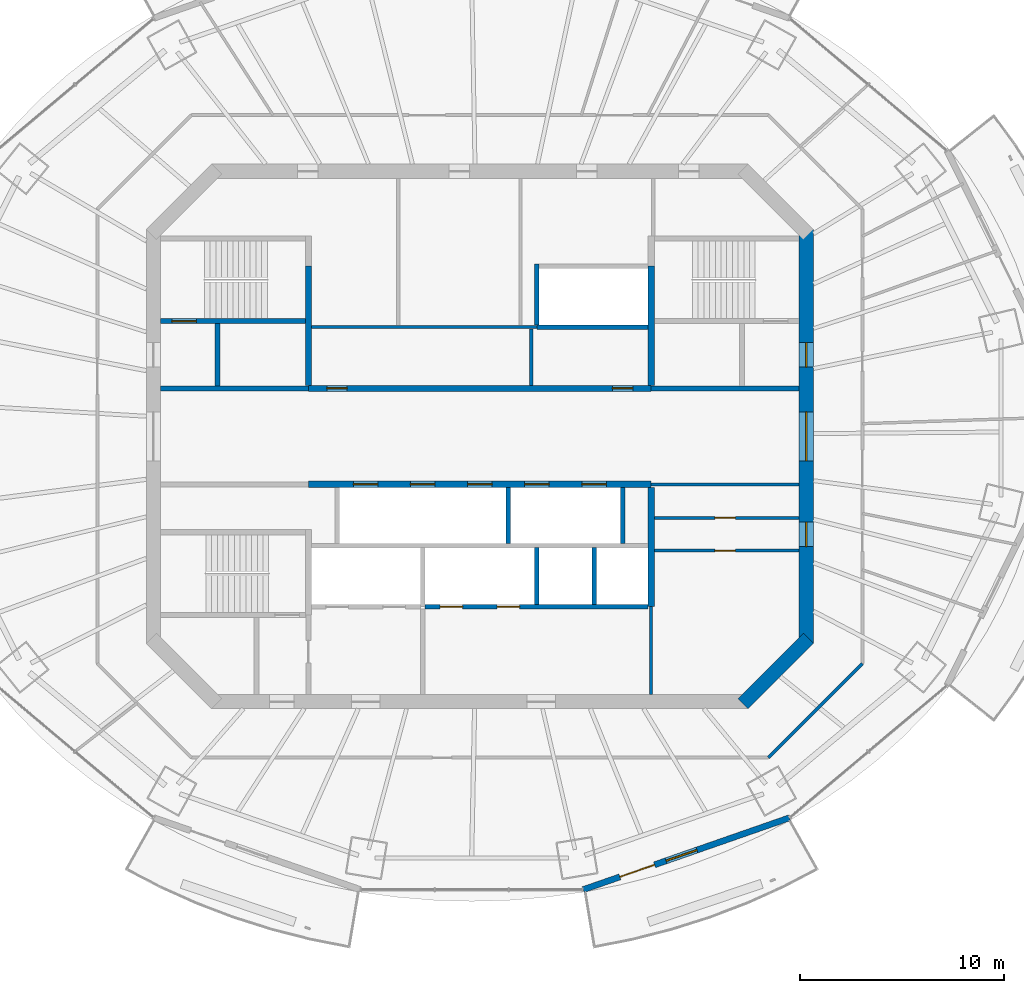
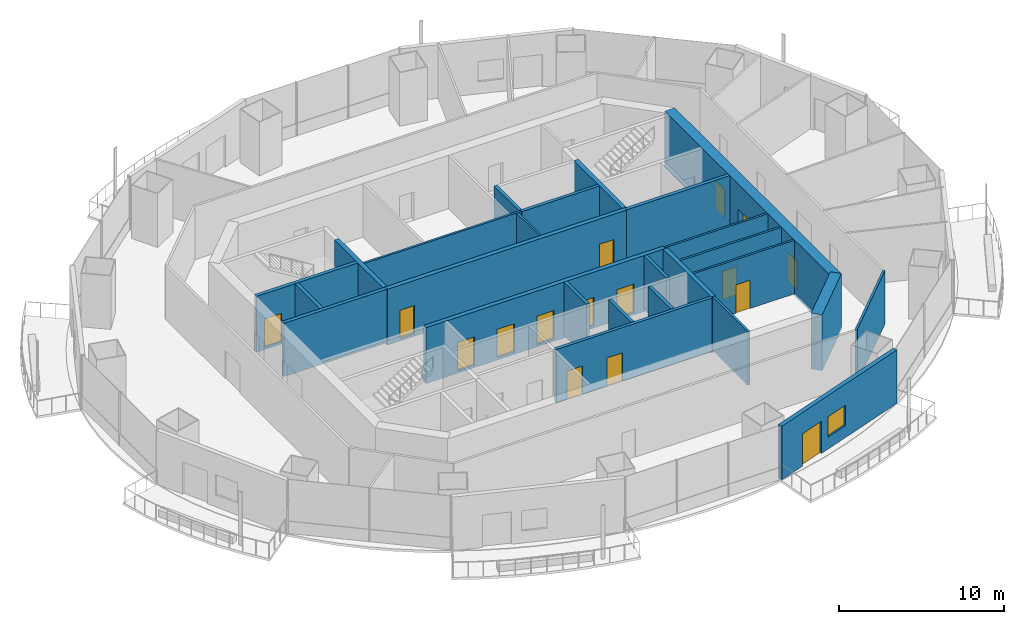
# One storey, part 9 of 16: 26 walls, 16 doors, 1 window, 17 openings.
"""IFC4 building model written with IfcOpenShell, lengths in metres."""

from ifc_helpers import new_model, si_unit, direction, frame, frame_2d, origin, place, context, subcontext, project, spatial, rectangle, extrude, material, layer, layer_set, type_object, element, fill, save


model = new_model("IFC4")

# Units and contexts
model_context = context("Model", 3, precision=1e-05, world=origin(), true_north=direction((0.0, 1.0)))
body_context = subcontext(model_context, "Body", "Model", "MODEL_VIEW")
ifc_project = project(units=[si_unit("LENGTHUNIT", "METRE"), si_unit("AREAUNIT", "SQUARE_METRE"), si_unit("VOLUMEUNIT", "CUBIC_METRE"), si_unit("PLANEANGLEUNIT", "RADIAN"), si_unit("MASSUNIT", "GRAM", prefix="KILO")], contexts=[model_context])

# Site, building, storey
site_placement = place(None, origin())
site = spatial("IfcSite", under=ifc_project, at=site_placement, CompositionType="ELEMENT")
building_placement = place(site_placement, origin())
building = spatial("IfcBuilding", under=site, at=building_placement, Name="Marenthal Gate Tower", CompositionType="ELEMENT")
storey_placement = place(building_placement, frame((0.0, 0.0, 309.39990234375)))
storey = spatial("IfcBuildingStorey", under=building, at=storey_placement, Name="L69", CompositionType="ELEMENT", Elevation=309.39990234375)

# Wall
ifc_material_1 = material(Name="Concrete 60 MPa", Category="concrete")
ifc_layer_1 = layer(ifc_material_1, 0.699951171875)
ifc_layer_set_1 = layer_set([ifc_layer_1], Name="Core shear wall 700")
wall_type_1 = type_object("IfcWallType", Name="Core shear wall 700", PredefinedType="SHEAR", material=ifc_layer_set_1)
wall_1_placement = place(storey_placement, frame((12.8974609375, -13.1025390625, -0.179931640625), z_axis=(0.0, 0.0, 1.0), x_axis=(0.707106781187, 0.707106781187, 0.0)))
element("IfcWall", 1, at=wall_1_placement, inside=storey, type_object=wall_type_1, Name="Core wall 01", PredefinedType="SHEAR", context=body_context, shape_type="SweptSolid", body=[
    extrude(rectangle(XDim=4.53271484375, YDim=0.699951171875, at=frame_2d((2.266357421875, 0.0))), origin(), (0.0, 0.0, 1.0), 4.150146484375),
])

# Wall, openings, doors
wall_2_placement = place(storey_placement, frame((16.0, -10.14501953125, -0.179931640625), z_axis=(0.0, 0.0, 1.0), x_axis=(0.0, 1.0, 0.0)))
wall_2 = element("IfcWall", 2, at=wall_2_placement, inside=storey, type_object=wall_type_1, Name="Core wall 02", PredefinedType="SHEAR", context=body_context, shape_type="SweptSolid", body=[
    extrude(rectangle(XDim=20.2900390625, YDim=0.699951171875, at=frame_2d((10.14501953125, 0.0))), origin(), (0.0, 0.0, 1.0), 4.150146484375),
])
opening_1_placement = place(wall_2_placement, frame((8.945068359375, 0.0, 0.179931640625)))
opening_1 = element("IfcOpeningElement", 3, at=opening_1_placement, cuts=wall_2, Name="Opening D003.02", PredefinedType="OPENING", context=body_context, shape_type="SweptSolid", body=[
    extrude(rectangle(XDim=2.39990234375, YDim=2.10009765625, at=frame_2d((1.199951171875, 1.050048828125))), frame((0.0, 0.35986328125, 0.0), z_axis=(0.0, -1.0, 0.0), x_axis=(1.0, 0.0, 0.0)), (0.0, 0.0, 1.0), 0.719970703125),
])
opening_2_placement = place(wall_2_placement, frame((13.544921875, 0.0, 0.179931640625)))
opening_2 = element("IfcOpeningElement", 4, at=opening_2_placement, cuts=wall_2, Name="Opening D001.05", PredefinedType="OPENING", context=body_context, shape_type="SweptSolid", body=[
    extrude(rectangle(XDim=1.199951171875, YDim=2.10009765625, at=frame_2d((0.60009765625, 1.050048828125))), frame((0.0, 0.35986328125, 0.0), z_axis=(0.0, -1.0, 0.0), x_axis=(1.0, 0.0, 0.0)), (0.0, 0.0, 1.0), 0.719970703125),
])
opening_3_placement = place(wall_2_placement, frame((4.7451171875, 0.0, 0.179931640625)))
opening_3 = element("IfcOpeningElement", 5, at=opening_3_placement, cuts=wall_2, Name="Opening D006.01", PredefinedType="OPENING", context=body_context, shape_type="SweptSolid", body=[
    extrude(rectangle(XDim=1.199951171875, YDim=2.10009765625, at=frame_2d((0.60009765625, 1.050048828125))), frame((0.0, 0.35986328125, 0.0), z_axis=(0.0, -1.0, 0.0), x_axis=(1.0, 0.0, 0.0)), (0.0, 0.0, 1.0), 0.719970703125),
])
ifc_material_2 = material(Name="Steel fire door", Category="steel")
door_type_1 = type_object("IfcDoorType", Name="Double fire door FD 45 2400 x 2100", OperationType="DOUBLE_DOOR_SINGLE_SWING", PredefinedType="DOOR", material=ifc_material_2)
door_1_placement = place(opening_1_placement, origin())
door_1 = element("IfcDoor", 6, at=door_1_placement, inside=storey, type_object=door_type_1, Name="Door D003.02", OperationType="DOUBLE_DOOR_SINGLE_SWING", OverallHeight=2.10009765625, OverallWidth=2.39990234375, PredefinedType="DOOR", context=body_context, shape_type="SweptSolid", body=[
    extrude(rectangle(XDim=2.39990234375, YDim=2.10009765625, at=frame_2d((1.199951171875, 1.050048828125))), frame((0.0, 0.02490234375, 0.0), z_axis=(0.0, -1.0, 0.0), x_axis=(1.0, 0.0, 0.0)), (0.0, 0.0, 1.0), 0.050048828125),
])
fill(opening_1, door_1)
ifc_material_3 = material(Name="Steel fire door", Category="steel")
door_type_2 = type_object("IfcDoorType", Name="Fire door FD 45 1200 x 2100", OperationType="NOTDEFINED", PredefinedType="DOOR", material=ifc_material_3)
door_2_placement = place(opening_3_placement, origin())
door_2 = element("IfcDoor", 7, at=door_2_placement, inside=storey, type_object=door_type_2, Name="Door D006.01", OperationType="SINGLE_SWING_RIGHT", OverallHeight=2.10009765625, OverallWidth=1.199951171875, PredefinedType="DOOR", context=body_context, shape_type="SweptSolid", body=[
    extrude(rectangle(XDim=1.199951171875, YDim=2.10009765625, at=frame_2d((0.60009765625, 1.050048828125))), frame((0.0, 0.02490234375, 0.0), z_axis=(0.0, -1.0, 0.0), x_axis=(1.0, 0.0, 0.0)), (0.0, 0.0, 1.0), 0.050048828125),
])
fill(opening_3, door_2)
ifc_material_4 = material(Name="Steel fire door", Category="steel")
door_type_3 = type_object("IfcDoorType", Name="Fire door FD 90 1200 x 2100", OperationType="NOTDEFINED", PredefinedType="DOOR", material=ifc_material_4)
door_3_placement = place(opening_2_placement, origin())
door_3 = element("IfcDoor", 8, at=door_3_placement, inside=storey, type_object=door_type_3, Name="Door D001.05", OperationType="SINGLE_SWING_RIGHT", OverallHeight=2.10009765625, OverallWidth=1.199951171875, PredefinedType="DOOR", context=body_context, shape_type="SweptSolid", body=[
    extrude(rectangle(XDim=1.199951171875, YDim=2.10009765625, at=frame_2d((0.60009765625, 1.050048828125))), frame((0.0, 0.02490234375, 0.0), z_axis=(0.0, -1.0, 0.0), x_axis=(1.0, 0.0, 0.0)), (0.0, 0.0, 1.0), 0.050048828125),
])
fill(opening_2, door_3)

ifc_material_5 = material(Name="Concrete 50 MPa", Category="concrete")
ifc_layer_2 = layer(ifc_material_5, 0.300048828125)
ifc_layer_set_2 = layer_set([ifc_layer_2], Name="Hoistway shear wall 300")
wall_type_2 = type_object("IfcWallType", Name="Hoistway shear wall 300", PredefinedType="SHEAR", material=ifc_layer_set_2)
wall_3_placement = place(storey_placement, frame((-8.39990234375, -2.35009765625, -0.179931640625), z_axis=(0.0, 0.0, 1.0), x_axis=(1.0, 0.0, 0.0)))
wall_3 = element("IfcWall", 9, at=wall_3_placement, inside=storey, type_object=wall_type_2, Name="Hoistway wall 17", PredefinedType="SHEAR", context=body_context, shape_type="SweptSolid", body=[
    extrude(rectangle(XDim=16.7998046875, YDim=0.300048828125, at=frame_2d((8.39990234375, 0.0))), origin(), (0.0, 0.0, 1.0), 4.150146484375),
])
opening_4_placement = place(wall_3_placement, frame((2.199951171875, 0.0, 0.179931640625)))
opening_4 = element("IfcOpeningElement", 10, at=opening_4_placement, cuts=wall_3, Name="Opening LD-HP1", PredefinedType="OPENING", context=body_context, shape_type="SweptSolid", body=[
    extrude(rectangle(XDim=1.199951171875, YDim=2.10009765625, at=frame_2d((0.60009765625, 1.050048828125))), frame((0.0, 0.16015625, 0.0), z_axis=(0.0, -1.0, 0.0), x_axis=(1.0, 0.0, 0.0)), (0.0, 0.0, 1.0), 0.320068359375),
])
opening_5_placement = place(wall_3_placement, frame((5.0, 0.0, 0.179931640625)))
opening_5 = element("IfcOpeningElement", 11, at=opening_5_placement, cuts=wall_3, Name="Opening LD-HP2", PredefinedType="OPENING", context=body_context, shape_type="SweptSolid", body=[
    extrude(rectangle(XDim=1.199951171875, YDim=2.10009765625, at=frame_2d((0.60009765625, 1.050048828125))), frame((0.0, 0.16015625, 0.0), z_axis=(0.0, -1.0, 0.0), x_axis=(1.0, 0.0, 0.0)), (0.0, 0.0, 1.0), 0.320068359375),
])
opening_6_placement = place(wall_3_placement, frame((7.800048828125, 0.0, 0.179931640625)))
opening_6 = element("IfcOpeningElement", 12, at=opening_6_placement, cuts=wall_3, Name="Opening LD-HP3", PredefinedType="OPENING", context=body_context, shape_type="SweptSolid", body=[
    extrude(rectangle(XDim=1.199951171875, YDim=2.10009765625, at=frame_2d((0.60009765625, 1.050048828125))), frame((0.0, 0.16015625, 0.0), z_axis=(0.0, -1.0, 0.0), x_axis=(1.0, 0.0, 0.0)), (0.0, 0.0, 1.0), 0.320068359375),
])
opening_7_placement = place(wall_3_placement, frame((10.60009765625, 0.0, 0.179931640625)))
opening_7 = element("IfcOpeningElement", 13, at=opening_7_placement, cuts=wall_3, Name="Opening LD-HP4", PredefinedType="OPENING", context=body_context, shape_type="SweptSolid", body=[
    extrude(rectangle(XDim=1.199951171875, YDim=2.10009765625, at=frame_2d((0.60009765625, 1.050048828125))), frame((0.0, 0.16015625, 0.0), z_axis=(0.0, -1.0, 0.0), x_axis=(1.0, 0.0, 0.0)), (0.0, 0.0, 1.0), 0.320068359375),
])
opening_8_placement = place(wall_3_placement, frame((13.39990234375, 0.0, 0.179931640625)))
opening_8 = element("IfcOpeningElement", 14, at=opening_8_placement, cuts=wall_3, Name="Opening LD-HP5", PredefinedType="OPENING", context=body_context, shape_type="SweptSolid", body=[
    extrude(rectangle(XDim=1.199951171875, YDim=2.10009765625, at=frame_2d((0.60009765625, 1.050048828125))), frame((0.0, 0.16015625, 0.0), z_axis=(0.0, -1.0, 0.0), x_axis=(1.0, 0.0, 0.0)), (0.0, 0.0, 1.0), 0.320068359375),
])
ifc_material_6 = material(Name="Stainless steel sliding door", Category="steel")
door_type_4 = type_object("IfcDoorType", Name="Lift landing door FD 90 1200 x 2100", OperationType="DOUBLE_DOOR_SLIDING", PredefinedType="DOOR", material=ifc_material_6)
door_4_placement = place(opening_4_placement, origin())
door_4 = element("IfcDoor", 15, at=door_4_placement, inside=storey, type_object=door_type_4, Name="Lift landing door HP1", OperationType="DOUBLE_DOOR_SLIDING", OverallHeight=2.10009765625, OverallWidth=1.199951171875, PredefinedType="DOOR", context=body_context, shape_type="SweptSolid", body=[
    extrude(rectangle(XDim=1.199951171875, YDim=2.10009765625, at=frame_2d((0.60009765625, 1.050048828125))), frame((0.0, 0.02490234375, 0.0), z_axis=(0.0, -1.0, 0.0), x_axis=(1.0, 0.0, 0.0)), (0.0, 0.0, 1.0), 0.050048828125),
])
fill(opening_4, door_4)
door_5_placement = place(opening_5_placement, origin())
door_5 = element("IfcDoor", 16, at=door_5_placement, inside=storey, type_object=door_type_4, Name="Lift landing door HP2", OperationType="DOUBLE_DOOR_SLIDING", OverallHeight=2.10009765625, OverallWidth=1.199951171875, PredefinedType="DOOR", context=body_context, shape_type="SweptSolid", body=[
    extrude(rectangle(XDim=1.199951171875, YDim=2.10009765625, at=frame_2d((0.60009765625, 1.050048828125))), frame((0.0, 0.02490234375, 0.0), z_axis=(0.0, -1.0, 0.0), x_axis=(1.0, 0.0, 0.0)), (0.0, 0.0, 1.0), 0.050048828125),
])
fill(opening_5, door_5)
door_6_placement = place(opening_6_placement, origin())
door_6 = element("IfcDoor", 17, at=door_6_placement, inside=storey, type_object=door_type_4, Name="Lift landing door HP3", OperationType="DOUBLE_DOOR_SLIDING", OverallHeight=2.10009765625, OverallWidth=1.199951171875, PredefinedType="DOOR", context=body_context, shape_type="SweptSolid", body=[
    extrude(rectangle(XDim=1.199951171875, YDim=2.10009765625, at=frame_2d((0.60009765625, 1.050048828125))), frame((0.0, 0.02490234375, 0.0), z_axis=(0.0, -1.0, 0.0), x_axis=(1.0, 0.0, 0.0)), (0.0, 0.0, 1.0), 0.050048828125),
])
fill(opening_6, door_6)
door_7_placement = place(opening_7_placement, origin())
door_7 = element("IfcDoor", 18, at=door_7_placement, inside=storey, type_object=door_type_4, Name="Lift landing door HP4", OperationType="DOUBLE_DOOR_SLIDING", OverallHeight=2.10009765625, OverallWidth=1.199951171875, PredefinedType="DOOR", context=body_context, shape_type="SweptSolid", body=[
    extrude(rectangle(XDim=1.199951171875, YDim=2.10009765625, at=frame_2d((0.60009765625, 1.050048828125))), frame((0.0, 0.02490234375, 0.0), z_axis=(0.0, -1.0, 0.0), x_axis=(1.0, 0.0, 0.0)), (0.0, 0.0, 1.0), 0.050048828125),
])
fill(opening_7, door_7)
door_8_placement = place(opening_8_placement, origin())
door_8 = element("IfcDoor", 19, at=door_8_placement, inside=storey, type_object=door_type_4, Name="Lift landing door HP5", OperationType="DOUBLE_DOOR_SLIDING", OverallHeight=2.10009765625, OverallWidth=1.199951171875, PredefinedType="DOOR", context=body_context, shape_type="SweptSolid", body=[
    extrude(rectangle(XDim=1.199951171875, YDim=2.10009765625, at=frame_2d((0.60009765625, 1.050048828125))), frame((0.0, 0.02490234375, 0.0), z_axis=(0.0, -1.0, 0.0), x_axis=(1.0, 0.0, 0.0)), (0.0, 0.0, 1.0), 0.050048828125),
])
fill(opening_8, door_8)

wall_4_placement = place(storey_placement, frame((-8.39990234375, 2.35009765625, -0.179931640625), z_axis=(0.0, 0.0, 1.0), x_axis=(1.0, 0.0, 0.0)))
wall_4 = element("IfcWall", 20, at=wall_4_placement, inside=storey, type_object=wall_type_2, Name="Hoistway wall 20", PredefinedType="SHEAR", context=body_context, shape_type="SweptSolid", body=[
    extrude(rectangle(XDim=16.7998046875, YDim=0.300048828125, at=frame_2d((8.39990234375, 0.0))), origin(), (0.0, 0.0, 1.0), 4.150146484375),
])
opening_9_placement = place(wall_4_placement, frame((0.89990234375, 0.0, 0.179931640625)))
opening_9 = element("IfcOpeningElement", 21, at=opening_9_placement, cuts=wall_4, Name="Opening D005.01", PredefinedType="OPENING", context=body_context, shape_type="SweptSolid", body=[
    extrude(rectangle(XDim=1.0, YDim=2.10009765625, at=frame_2d((0.5, 1.050048828125))), frame((0.0, 0.16015625, 0.0), z_axis=(0.0, -1.0, 0.0), x_axis=(1.0, 0.0, 0.0)), (0.0, 0.0, 1.0), 0.320068359375),
])
opening_10_placement = place(wall_4_placement, frame((14.89990234375, 0.0, 0.179931640625)))
opening_10 = element("IfcOpeningElement", 22, at=opening_10_placement, cuts=wall_4, Name="Opening D005.02", PredefinedType="OPENING", context=body_context, shape_type="SweptSolid", body=[
    extrude(rectangle(XDim=1.0, YDim=2.10009765625, at=frame_2d((0.5, 1.050048828125))), frame((0.0, 0.16015625, 0.0), z_axis=(0.0, -1.0, 0.0), x_axis=(1.0, 0.0, 0.0)), (0.0, 0.0, 1.0), 0.320068359375),
])
ifc_material_7 = material(Name="Steel fire door", Category="steel")
door_type_5 = type_object("IfcDoorType", Name="Fire door FD 45 1000 x 2100", OperationType="NOTDEFINED", PredefinedType="DOOR", material=ifc_material_7)
door_9_placement = place(opening_9_placement, origin())
door_9 = element("IfcDoor", 23, at=door_9_placement, inside=storey, type_object=door_type_5, Name="Door D005.01", OperationType="SINGLE_SWING_RIGHT", OverallHeight=2.10009765625, OverallWidth=1.0, PredefinedType="DOOR", context=body_context, shape_type="SweptSolid", body=[
    extrude(rectangle(XDim=1.0, YDim=2.10009765625, at=frame_2d((0.5, 1.050048828125))), frame((0.0, 0.02490234375, 0.0), z_axis=(0.0, -1.0, 0.0), x_axis=(1.0, 0.0, 0.0)), (0.0, 0.0, 1.0), 0.050048828125),
])
fill(opening_9, door_9)
door_10_placement = place(opening_10_placement, origin())
door_10 = element("IfcDoor", 24, at=door_10_placement, inside=storey, type_object=door_type_5, Name="Door D005.02", OperationType="SINGLE_SWING_RIGHT", OverallHeight=2.10009765625, OverallWidth=1.0, PredefinedType="DOOR", context=body_context, shape_type="SweptSolid", body=[
    extrude(rectangle(XDim=1.0, YDim=2.10009765625, at=frame_2d((0.5, 1.050048828125))), frame((0.0, 0.02490234375, 0.0), z_axis=(0.0, -1.0, 0.0), x_axis=(1.0, 0.0, 0.0)), (0.0, 0.0, 1.0), 0.050048828125),
])
fill(opening_10, door_10)

# Walls
for number, where, z_axis, x_axis, name in (
    (25, (-8.39990234375, 2.5, -0.179931640625), (0.0, 0.0, 1.0), (0.0, 1.0, 0.0), "Hoistway wall 33"),
    (26, (8.39990234375, -8.35009765625, -0.179931640625), (0.0, 0.0, 1.0), (0.0, 1.0, 0.0), "Hoistway wall 47"),
    (27, (8.39990234375, 2.5, -0.179931640625), (0.0, 0.0, 1.0), (0.0, 1.0, 0.0), "Hoistway wall 48"),
):
    element("IfcWall", number, at=place(storey_placement, frame(where, z_axis=z_axis, x_axis=x_axis)), inside=storey, type_object=wall_type_2, Name=name, PredefinedType="SHEAR", context=body_context, shape_type="SweptSolid", body=[
        extrude(rectangle(XDim=5.85009765625, YDim=0.300048828125, at=frame_2d((2.925048828125, 0.0))), origin(), (0.0, 0.0, 1.0), 4.150146484375),
    ])

# Wall, openings, doors
ifc_material_8 = material(Name="Concrete 40 MPa", Category="concrete")
ifc_layer_3 = layer(ifc_material_8, 0.219970703125)
ifc_layer_set_3 = layer_set([ifc_layer_3], Name="Hoistway wall 220")
wall_type_3 = type_object("IfcWallType", Name="Hoistway wall 220", PredefinedType="STANDARD", material=ifc_layer_set_3)
wall_5_placement = place(storey_placement, frame((-2.68994140625, -8.35009765625, 0.0), z_axis=(0.0, 0.0, 1.0), x_axis=(1.0, 0.0, 0.0)))
wall_5 = element("IfcWall", 28, at=wall_5_placement, inside=storey, type_object=wall_type_3, Name="Hoistway wall 11", PredefinedType="STANDARD", context=body_context, shape_type="SweptSolid", body=[
    extrude(rectangle(XDim=10.93994140625, YDim=0.219970703125, at=frame_2d((5.469970703125, 0.0))), origin(), (0.0, 0.0, 1.0), 3.97021484375),
])
opening_11_placement = place(wall_5_placement, frame((0.739990234375, 0.0, 0.0)))
opening_11 = element("IfcOpeningElement", 29, at=opening_11_placement, cuts=wall_5, Name="Opening LD-SV1", PredefinedType="OPENING", context=body_context, shape_type="SweptSolid", body=[
    extrude(rectangle(XDim=1.10009765625, YDim=2.10009765625, at=frame_2d((0.550048828125, 1.050048828125))), frame((0.0, 0.1201171875, 0.0), z_axis=(0.0, -1.0, 0.0), x_axis=(1.0, 0.0, 0.0)), (0.0, 0.0, 1.0), 0.239990234375),
])
opening_12_placement = place(wall_5_placement, frame((3.5400390625, 0.0, 0.0)))
opening_12 = element("IfcOpeningElement", 30, at=opening_12_placement, cuts=wall_5, Name="Opening LD-SV2", PredefinedType="OPENING", context=body_context, shape_type="SweptSolid", body=[
    extrude(rectangle(XDim=1.10009765625, YDim=2.10009765625, at=frame_2d((0.550048828125, 1.050048828125))), frame((0.0, 0.1201171875, 0.0), z_axis=(0.0, -1.0, 0.0), x_axis=(1.0, 0.0, 0.0)), (0.0, 0.0, 1.0), 0.239990234375),
])
ifc_material_9 = material(Name="Stainless steel sliding door", Category="steel")
door_type_6 = type_object("IfcDoorType", Name="Lift landing door FD 90 1100 x 2100", OperationType="DOUBLE_DOOR_SLIDING", PredefinedType="DOOR", material=ifc_material_9)
door_11_placement = place(opening_11_placement, origin())
door_11 = element("IfcDoor", 31, at=door_11_placement, inside=storey, type_object=door_type_6, Name="Lift landing door SV1", OperationType="DOUBLE_DOOR_SLIDING", OverallHeight=2.10009765625, OverallWidth=1.10009765625, PredefinedType="DOOR", context=body_context, shape_type="SweptSolid", body=[
    extrude(rectangle(XDim=1.10009765625, YDim=2.10009765625, at=frame_2d((0.550048828125, 1.050048828125))), frame((0.0, 0.02490234375, 0.0), z_axis=(0.0, -1.0, 0.0), x_axis=(1.0, 0.0, 0.0)), (0.0, 0.0, 1.0), 0.050048828125),
])
fill(opening_11, door_11)
door_12_placement = place(opening_12_placement, origin())
door_12 = element("IfcDoor", 32, at=door_12_placement, inside=storey, type_object=door_type_6, Name="Lift landing door SV2", OperationType="DOUBLE_DOOR_SLIDING", OverallHeight=2.10009765625, OverallWidth=1.10009765625, PredefinedType="DOOR", context=body_context, shape_type="SweptSolid", body=[
    extrude(rectangle(XDim=1.10009765625, YDim=2.10009765625, at=frame_2d((0.550048828125, 1.050048828125))), frame((0.0, 0.02490234375, 0.0), z_axis=(0.0, -1.0, 0.0), x_axis=(1.0, 0.0, 0.0)), (0.0, 0.0, 1.0), 0.050048828125),
])
fill(opening_12, door_12)

# Walls
wall_6_placement = place(storey_placement, frame((2.800048828125, 5.35009765625, 0.0), z_axis=(0.0, 0.0, 1.0), x_axis=(1.0, 0.0, 0.0)))
element("IfcWall", 33, at=wall_6_placement, inside=storey, type_object=wall_type_3, Name="Hoistway wall 23", PredefinedType="STANDARD", context=body_context, shape_type="SweptSolid", body=[
    extrude(rectangle(XDim=5.449951171875, YDim=0.219970703125, at=frame_2d((2.72509765625, 0.0))), origin(), (0.0, 0.0, 1.0), 3.97021484375),
])
wall_7_placement = place(storey_placement, frame((1.39990234375, -5.239990234375, 0.0), z_axis=(0.0, 0.0, 1.0), x_axis=(0.0, 1.0, 0.0)))
element("IfcWall", 34, at=wall_7_placement, inside=storey, type_object=wall_type_3, Name="Hoistway wall 39", PredefinedType="STANDARD", context=body_context, shape_type="SweptSolid", body=[
    extrude(rectangle(XDim=2.739990234375, YDim=0.219970703125, at=frame_2d((1.3701171875, 0.0))), origin(), (0.0, 0.0, 1.0), 3.97021484375),
])
wall_8_placement = place(storey_placement, frame((2.800048828125, -8.239990234375, 0.0), z_axis=(0.0, 0.0, 1.0), x_axis=(0.0, 1.0, 0.0)))
element("IfcWall", 35, at=wall_8_placement, inside=storey, type_object=wall_type_3, Name="Hoistway wall 42", PredefinedType="STANDARD", context=body_context, shape_type="SweptSolid", body=[
    extrude(rectangle(XDim=2.780029296875, YDim=0.219970703125, at=frame_2d((1.39013671875, 0.0))), origin(), (0.0, 0.0, 1.0), 3.97021484375),
])
wall_9_placement = place(storey_placement, frame((2.800048828125, 5.4599609375, 0.0), z_axis=(0.0, 0.0, 1.0), x_axis=(0.0, 1.0, 0.0)))
element("IfcWall", 36, at=wall_9_placement, inside=storey, type_object=wall_type_3, Name="Hoistway wall 43", PredefinedType="STANDARD", context=body_context, shape_type="SweptSolid", body=[
    extrude(rectangle(XDim=3.0, YDim=0.219970703125, at=frame_2d((1.5, 0.0))), origin(), (0.0, 0.0, 1.0), 3.97021484375),
])
wall_10_placement = place(storey_placement, frame((5.60009765625, -8.239990234375, 0.0), z_axis=(0.0, 0.0, 1.0), x_axis=(0.0, 1.0, 0.0)))
element("IfcWall", 37, at=wall_10_placement, inside=storey, type_object=wall_type_3, Name="Hoistway wall 44", PredefinedType="STANDARD", context=body_context, shape_type="SweptSolid", body=[
    extrude(rectangle(XDim=2.780029296875, YDim=0.219970703125, at=frame_2d((1.39013671875, 0.0))), origin(), (0.0, 0.0, 1.0), 3.97021484375),
])
wall_11_placement = place(storey_placement, frame((7.0, -5.239990234375, 0.0), z_axis=(0.0, 0.0, 1.0), x_axis=(0.0, 1.0, 0.0)))
element("IfcWall", 38, at=wall_11_placement, inside=storey, type_object=wall_type_3, Name="Hoistway wall 45", PredefinedType="STANDARD", context=body_context, shape_type="SweptSolid", body=[
    extrude(rectangle(XDim=2.739990234375, YDim=0.219970703125, at=frame_2d((1.3701171875, 0.0))), origin(), (0.0, 0.0, 1.0), 3.97021484375),
])

# Wall, opening, door
ifc_material_10 = material(Name="Gypsum board on steel studs", Category="steel")
ifc_layer_4 = layer(ifc_material_10, 0.14990234375)
ifc_layer_set_4 = layer_set([ifc_layer_4], Name="Partition 150")
wall_type_4 = type_object("IfcWallType", Name="Partition 150", PredefinedType="PARTITIONING", material=ifc_layer_set_4)
wall_12_placement = place(storey_placement, frame((8.550048828125, -5.60009765625, 0.0), z_axis=(0.0, 0.0, 1.0), x_axis=(1.0, 0.0, 0.0)))
wall_12 = element("IfcWall", 39, at=wall_12_placement, inside=storey, type_object=wall_type_4, Name="Partition wall 12", PredefinedType="PARTITIONING", context=body_context, shape_type="SweptSolid", body=[
    extrude(rectangle(XDim=7.099853515625, YDim=0.14990234375, at=frame_2d((3.5498046875, 0.0))), origin(), (0.0, 0.0, 1.0), 3.97021484375),
])
opening_13_placement = place(wall_12_placement, frame((2.97509765625, 0.0, 0.0)))
opening_13 = element("IfcOpeningElement", 40, at=opening_13_placement, cuts=wall_12, Name="Opening D005.08", PredefinedType="OPENING", context=body_context, shape_type="SweptSolid", body=[
    extrude(rectangle(XDim=1.0, YDim=2.10009765625, at=frame_2d((0.5, 1.050048828125))), frame((0.0, 0.0849609375, 0.0), z_axis=(0.0, -1.0, 0.0), x_axis=(1.0, 0.0, 0.0)), (0.0, 0.0, 1.0), 0.169921875),
])
door_13_placement = place(opening_13_placement, frame((1.0, 0.0, 0.0), z_axis=(0.0, 0.0, 1.0), x_axis=(-1.0, 0.0, 0.0)))
door_13 = element("IfcDoor", 41, at=door_13_placement, inside=storey, type_object=door_type_5, Name="Door D005.08", OperationType="SINGLE_SWING_LEFT", OverallHeight=2.10009765625, OverallWidth=1.0, PredefinedType="DOOR", context=body_context, shape_type="SweptSolid", body=[
    extrude(rectangle(XDim=1.0, YDim=2.10009765625, at=frame_2d((0.5, 1.050048828125))), frame((0.0, 0.02490234375, 0.0), z_axis=(0.0, -1.0, 0.0), x_axis=(1.0, 0.0, 0.0)), (0.0, 0.0, 1.0), 0.050048828125),
])
fill(opening_13, door_13)

wall_13_placement = place(storey_placement, frame((8.550048828125, -4.0, 0.0), z_axis=(0.0, 0.0, 1.0), x_axis=(1.0, 0.0, 0.0)))
wall_13 = element("IfcWall", 42, at=wall_13_placement, inside=storey, type_object=wall_type_4, Name="Partition wall 15", PredefinedType="PARTITIONING", context=body_context, shape_type="SweptSolid", body=[
    extrude(rectangle(XDim=7.099853515625, YDim=0.14990234375, at=frame_2d((3.5498046875, 0.0))), origin(), (0.0, 0.0, 1.0), 3.97021484375),
])
opening_14_placement = place(wall_13_placement, frame((2.97509765625, 0.0, 0.0)))
opening_14 = element("IfcOpeningElement", 43, at=opening_14_placement, cuts=wall_13, Name="Opening D005.07", PredefinedType="OPENING", context=body_context, shape_type="SweptSolid", body=[
    extrude(rectangle(XDim=1.0, YDim=2.10009765625, at=frame_2d((0.5, 1.050048828125))), frame((0.0, 0.0849609375, 0.0), z_axis=(0.0, -1.0, 0.0), x_axis=(1.0, 0.0, 0.0)), (0.0, 0.0, 1.0), 0.169921875),
])
door_14_placement = place(opening_14_placement, origin())
door_14 = element("IfcDoor", 44, at=door_14_placement, inside=storey, type_object=door_type_5, Name="Door D005.07", OperationType="SINGLE_SWING_RIGHT", OverallHeight=2.10009765625, OverallWidth=1.0, PredefinedType="DOOR", context=body_context, shape_type="SweptSolid", body=[
    extrude(rectangle(XDim=1.0, YDim=2.10009765625, at=frame_2d((0.5, 1.050048828125))), frame((0.0, 0.02490234375, 0.0), z_axis=(0.0, -1.0, 0.0), x_axis=(1.0, 0.0, 0.0)), (0.0, 0.0, 1.0), 0.050048828125),
])
fill(opening_14, door_14)

# Walls
wall_14_placement = place(storey_placement, frame((8.39990234375, -2.35009765625, 0.0), z_axis=(0.0, 0.0, 1.0), x_axis=(1.0, 0.0, 0.0)))
element("IfcWall", 45, at=wall_14_placement, inside=storey, type_object=wall_type_4, Name="Partition wall 18", PredefinedType="PARTITIONING", context=body_context, shape_type="SweptSolid", body=[
    extrude(rectangle(XDim=7.25, YDim=0.14990234375, at=frame_2d((3.625, 0.0))), origin(), (0.0, 0.0, 1.0), 3.97021484375),
])
wall_15_placement = place(storey_placement, frame((-8.25, 5.35009765625, 0.0), z_axis=(0.0, 0.0, 1.0), x_axis=(1.0, 0.0, 0.0)))
element("IfcWall", 46, at=wall_15_placement, inside=storey, type_object=wall_type_4, Name="Partition wall 22", PredefinedType="PARTITIONING", context=body_context, shape_type="SweptSolid", body=[
    extrude(rectangle(XDim=11.050048828125, YDim=0.14990234375, at=frame_2d((5.52490234375, 0.0))), origin(), (0.0, 0.0, 1.0), 3.97021484375),
])
wall_16_placement = place(storey_placement, frame((2.52001953125, 2.5, 0.0), z_axis=(0.0, 0.0, 1.0), x_axis=(0.0, 1.0, 0.0)))
element("IfcWall", 47, at=wall_16_placement, inside=storey, type_object=wall_type_4, Name="Partition wall 41", PredefinedType="PARTITIONING", context=body_context, shape_type="SweptSolid", body=[
    extrude(rectangle(XDim=2.77490234375, YDim=0.14990234375, at=frame_2d((1.387451171875, 0.0))), origin(), (0.0, 0.0, 1.0), 3.97021484375),
])
wall_17_placement = place(storey_placement, frame((8.39990234375, -12.64990234375, 0.0), z_axis=(0.0, 0.0, 1.0), x_axis=(0.0, 1.0, 0.0)))
element("IfcWall", 48, at=wall_17_placement, inside=storey, type_object=wall_type_4, Name="Partition wall 46", PredefinedType="PARTITIONING", context=body_context, shape_type="SweptSolid", body=[
    extrude(rectangle(XDim=4.2998046875, YDim=0.14990234375, at=frame_2d((2.14990234375, 0.0))), origin(), (0.0, 0.0, 1.0), 3.97021484375),
])
wall_18_placement = place(storey_placement, frame((18.75, -11.13916015625, 0.0), z_axis=(0.0, 0.0, 1.0), x_axis=(-0.707106781187, -0.707106781187, 0.0)))
element("IfcWall", 49, at=wall_18_placement, inside=storey, type_object=wall_type_4, Name="Partition wall 63", PredefinedType="PARTITIONING", context=body_context, shape_type="SweptSolid", body=[
    extrude(rectangle(XDim=6.520751953125, YDim=0.14990234375, at=frame_2d((3.26025390625, 0.0))), origin(), (0.0, 0.0, 1.0), 3.97021484375),
])
ifc_material_11 = material(Name="Concrete 40 MPa", Category="concrete")
ifc_layer_5 = layer(ifc_material_11, 0.25)
ifc_layer_set_5 = layer_set([ifc_layer_5], Name="Stair enclosure wall 250")
wall_type_5 = type_object("IfcWallType", Name="Stair enclosure wall 250", PredefinedType="STANDARD", material=ifc_layer_set_5)
for number, where, z_axis, x_axis, name in (
    (50, (-15.64990234375, 2.35009765625, 0.0), (0.0, 0.0, 1.0), (1.0, 0.0, 0.0), "Stair wall 19"),
    (51, (8.39990234375, 2.35009765625, 0.0), (0.0, 0.0, 1.0), (1.0, 0.0, 0.0), "Stair wall 21"),
):
    element("IfcWall", number, at=place(storey_placement, frame(where, z_axis=z_axis, x_axis=x_axis)), inside=storey, type_object=wall_type_5, Name=name, PredefinedType="STANDARD", context=body_context, shape_type="SweptSolid", body=[
        extrude(rectangle(XDim=7.25, YDim=0.25, at=frame_2d((3.625, 0.0))), origin(), (0.0, 0.0, 1.0), 3.97021484375),
    ])
wall_19_placement = place(storey_placement, frame((-12.85009765625, 2.47509765625, 0.0), z_axis=(0.0, 0.0, 1.0), x_axis=(0.0, 1.0, 0.0)))
element("IfcWall", 52, at=wall_19_placement, inside=storey, type_object=wall_type_5, Name="Stair wall 29", PredefinedType="STANDARD", context=body_context, shape_type="SweptSolid", body=[
    extrude(rectangle(XDim=3.0498046875, YDim=0.25, at=frame_2d((1.52490234375, 0.0))), origin(), (0.0, 0.0, 1.0), 3.97021484375),
])

# Wall, opening, door
ifc_material_12 = material(Name="Concrete 50 MPa", Category="concrete")
ifc_layer_6 = layer(ifc_material_12, 0.25)
ifc_layer_set_6 = layer_set([ifc_layer_6], Name="Stair shear wall 250")
wall_type_6 = type_object("IfcWallType", Name="Stair shear wall 250", PredefinedType="SHEAR", material=ifc_layer_set_6)
wall_20_placement = place(storey_placement, frame((-15.64990234375, 5.64990234375, -0.179931640625), z_axis=(0.0, 0.0, 1.0), x_axis=(1.0, 0.0, 0.0)))
wall_20 = element("IfcWall", 53, at=wall_20_placement, inside=storey, type_object=wall_type_6, Name="Stair wall 24", PredefinedType="SHEAR", context=body_context, shape_type="SweptSolid", body=[
    extrude(rectangle(XDim=7.099853515625, YDim=0.25, at=frame_2d((3.5498046875, 0.0))), origin(), (0.0, 0.0, 1.0), 4.150146484375),
])
opening_15_placement = place(wall_20_placement, frame((0.550048828125, 0.0, 0.179931640625)))
opening_15 = element("IfcOpeningElement", 54, at=opening_15_placement, cuts=wall_20, Name="Opening D001.01", PredefinedType="OPENING", context=body_context, shape_type="SweptSolid", body=[
    extrude(rectangle(XDim=1.199951171875, YDim=2.10009765625, at=frame_2d((0.60009765625, 1.050048828125))), frame((0.0, 0.135009765625, 0.0), z_axis=(0.0, -1.0, 0.0), x_axis=(1.0, 0.0, 0.0)), (0.0, 0.0, 1.0), 0.27001953125),
])
door_15_placement = place(opening_15_placement, origin())
door_15 = element("IfcDoor", 55, at=door_15_placement, inside=storey, type_object=door_type_3, Name="Door D001.01", OperationType="SINGLE_SWING_RIGHT", OverallHeight=2.10009765625, OverallWidth=1.199951171875, PredefinedType="DOOR", context=body_context, shape_type="SweptSolid", body=[
    extrude(rectangle(XDim=1.199951171875, YDim=2.10009765625, at=frame_2d((0.60009765625, 1.050048828125))), frame((0.0, 0.02490234375, 0.0), z_axis=(0.0, -1.0, 0.0), x_axis=(1.0, 0.0, 0.0)), (0.0, 0.0, 1.0), 0.050048828125),
])
fill(opening_15, door_15)

# Wall, openings, door, window
ifc_material_13 = material(Name="Terracotta cladding on insulated concrete-block backing", Category="masonry")
ifc_layer_7 = layer(ifc_material_13, 0.300048828125)
ifc_layer_set_7 = layer_set([ifc_layer_7], Name="Terracotta facade wall 300")
wall_type_7 = type_object("IfcWallType", Name="Terracotta facade wall 300", PredefinedType="SOLIDWALL", material=ifc_layer_set_7)
wall_21_placement = place(storey_placement, frame((5.069091796875, -22.218994140625, 0.0), z_axis=(0.0, 0.0, 1.0), x_axis=(0.94436622093, 0.328895790132, 0.0)))
wall_21 = element("IfcWall", 56, at=wall_21_placement, inside=storey, type_object=wall_type_7, Name="Terracotta facade wall L69 bay 13", PredefinedType="SOLIDWALL", context=body_context, shape_type="SweptSolid", body=[
    extrude(rectangle(XDim=10.701171875, YDim=0.300048828125, at=frame_2d((5.3505859375, 0.0))), origin(), (0.0, 0.0, 1.0), 3.97021484375),
])
opening_16_placement = place(wall_21_placement, frame((1.89990234375, 0.0, 0.0)))
opening_16 = element("IfcOpeningElement", 57, at=opening_16_placement, cuts=wall_21, Name="Opening BD-L69-13", PredefinedType="OPENING", context=body_context, shape_type="SweptSolid", body=[
    extrude(rectangle(XDim=1.800048828125, YDim=2.39990234375, at=frame_2d((0.89990234375, 1.199951171875))), frame((0.0, 0.16015625, 0.0), z_axis=(0.0, -1.0, 0.0), x_axis=(1.0, 0.0, 0.0)), (0.0, 0.0, 1.0), 0.320068359375),
])
opening_17_placement = place(wall_21_placement, frame((4.300048828125, 0.0, 0.89990234375)))
opening_17 = element("IfcOpeningElement", 58, at=opening_17_placement, cuts=wall_21, Name="Opening WN3-L69-13", PredefinedType="OPENING", context=body_context, shape_type="SweptSolid", body=[
    extrude(rectangle(XDim=1.60009765625, YDim=1.5, at=frame_2d((0.800048828125, 0.75))), frame((0.0, 0.16015625, 0.0), z_axis=(0.0, -1.0, 0.0), x_axis=(1.0, 0.0, 0.0)), (0.0, 0.0, 1.0), 0.320068359375),
])
ifc_material_14 = material(Name="Aluminium and glass", Category="aluminium")
door_type_7 = type_object("IfcDoorType", Name="Balcony door 1800x2400", OperationType="DOUBLE_DOOR_SINGLE_SWING", PredefinedType="DOOR", material=ifc_material_14)
door_16_placement = place(opening_16_placement, origin())
door_16 = element("IfcDoor", 59, at=door_16_placement, inside=storey, type_object=door_type_7, Name="Balcony door L69 bay 13", OperationType="SINGLE_SWING_LEFT", OverallHeight=2.39990234375, OverallWidth=1.800048828125, PredefinedType="DOOR", context=body_context, shape_type="SweptSolid", body=[
    extrude(rectangle(XDim=1.800048828125, YDim=2.39990234375, at=frame_2d((0.89990234375, 1.199951171875))), frame((0.0, 0.02490234375, 0.0), z_axis=(0.0, -1.0, 0.0), x_axis=(1.0, 0.0, 0.0)), (0.0, 0.0, 1.0), 0.050048828125),
])
fill(opening_16, door_16)
ifc_material_15 = material(Name="Aluminium and glass", Category="aluminium")
window_type = type_object("IfcWindowType", Name="Window 1600x1500", PartitioningType="DOUBLE_PANEL_VERTICAL", PredefinedType="WINDOW", material=ifc_material_15)
window_placement = place(opening_17_placement, origin())
window = element("IfcWindow", 60, at=window_placement, inside=storey, type_object=window_type, Name="Window L69 bay 13", OverallHeight=1.5, OverallWidth=1.60009765625, PartitioningType="SINGLE_PANEL", PredefinedType="WINDOW", context=body_context, shape_type="SweptSolid", body=[
    extrude(rectangle(XDim=1.60009765625, YDim=1.5, at=frame_2d((0.800048828125, 0.75))), frame((0.0, 0.030029296875, 0.0), z_axis=(0.0, -1.0, 0.0), x_axis=(1.0, 0.0, 0.0)), (0.0, 0.0, 1.0), 0.06005859375),
])
fill(opening_17, window)

save(model, "model.ifc")
